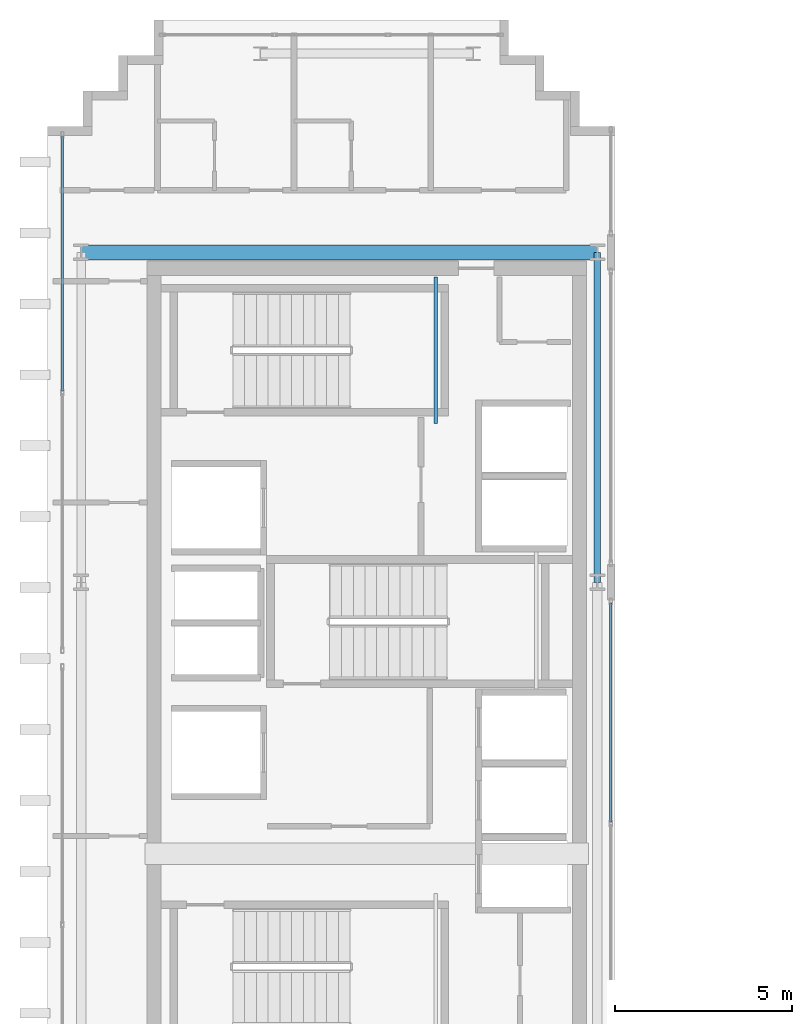
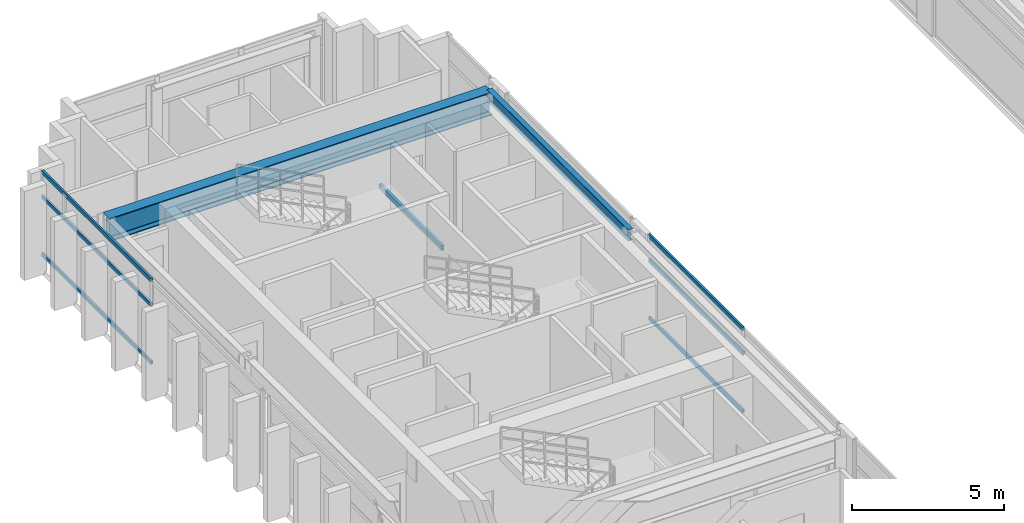
# One storey, part 6 of 25: 6 members, 3 beams, 2 elements without a shape of their own.
"""IFC4 building model written with IfcOpenShell, lengths in metres."""

from ifc_helpers import new_model, si_unit, direction, frame, origin, origin_2d, place, context, subcontext, project, spatial, hollow_rectangle, i_section, extrude, source, transform, mapped, material, layer, layer_set, material_profile, profile_set, type_object, element, aggregate, save


model = new_model("IFC4")

# Units and contexts
model_context = context("Model", 3, precision=1e-05, world=origin(), true_north=direction((0.0, 1.0)))
body_context = subcontext(model_context, "Body", "Model", "MODEL_VIEW")
ifc_project = project(units=[si_unit("LENGTHUNIT", "METRE"), si_unit("AREAUNIT", "SQUARE_METRE"), si_unit("VOLUMEUNIT", "CUBIC_METRE"), si_unit("PLANEANGLEUNIT", "RADIAN"), si_unit("MASSUNIT", "GRAM", prefix="KILO")], contexts=[model_context])

# Site, building, storey
site_placement = place(None, origin())
site = spatial("IfcSite", under=ifc_project, at=site_placement, CompositionType="ELEMENT")
building_placement = place(site_placement, origin())
building = spatial("IfcBuilding", under=site, at=building_placement, Name="Ocotamira Hotel", CompositionType="ELEMENT")
storey_placement = place(building_placement, frame((0.0, 0.0, 265.199951171875)))
storey = spatial("IfcBuildingStorey", under=building, at=storey_placement, Name="L67", CompositionType="ELEMENT", Elevation=265.199951171875)

# Beams
ifc_material_1 = material(Name="Steel ASTM A500 Grade C", Category="steel")
ifc_material_profile_1 = material_profile(ifc_material_1, hollow_rectangle(XDim=0.10009765625, YDim=0.199951171875, WallThickness=0.008056640625, at=origin_2d()), Name="HSS200X100X8")
ifc_profile_set_1 = profile_set([ifc_material_profile_1], Name="Steel ASTM A500 Grade C")
beam_type_1 = type_object("IfcBeamType", Name="BM-STLDG-HSS200", PredefinedType="BEAM", material=ifc_profile_set_1)
shared_shape_1 = source(origin(), body_context, "Body", "SweptSolid", [
    extrude(hollow_rectangle(XDim=0.10009765625, YDim=0.199951171875, WallThickness=0.008056640625, at=origin_2d()), origin(), (0.0, 0.0, 1.0), 4.1201171875),
])
beam_1_placement = place(storey_placement, frame((18.949951171875, 32.6298828125, 1.5), z_axis=(0.0, 1.0, 0.0), x_axis=(-1.0, 0.0, 0.0)))
element("IfcBeam", 1, at=beam_1_placement, inside=storey, type_object=beam_type_1, Name="L67 Stair ST-2 Landing Bearer 1", PredefinedType="BEAM", context=body_context, shape_type="MappedRepresentation", body=[
    mapped(shared_shape_1, transform((0.0, 0.0, 0.0), scale=1.0)),
])
ifc_material_2 = material(Name="Steel ASTM A992 Grade 50", Category="steel")
ifc_material_profile_2 = material_profile(ifc_material_2, i_section(OverallWidth=0.41796875, OverallDepth=0.927001953125, WebThickness=0.019287109375, FlangeThickness=0.031982421875, FilletRadius=0.02392578125, at=origin_2d()), Name="W36X231")
ifc_profile_set_2 = profile_set([ifc_material_profile_2], Name="Steel ASTM A992 Grade 50")
beam_type_2 = type_object("IfcBeamType", Name="BM-GIRD-W36X231", PredefinedType="BEAM", material=ifc_profile_set_2)
shared_shape_2 = source(origin(), body_context, "Body", "SweptSolid", [
    extrude(i_section(OverallWidth=0.41796875, OverallDepth=0.927001953125, WebThickness=0.019287109375, FlangeThickness=0.031982421875, FilletRadius=0.02392578125, at=origin_2d()), origin(), (0.0, 0.0, 1.0), 14.550048828125),
])
beam_2_placement = place(storey_placement, frame((8.949951171875, 37.449951171875, 2.91650390625), z_axis=(1.0, 0.0, 0.0), x_axis=(0.0, 1.0, 0.0)))
element("IfcBeam", 2, at=beam_2_placement, inside=storey, type_object=beam_type_2, Name="L67 Girder Y37.45 X8.95-23.5", PredefinedType="BEAM", context=body_context, shape_type="MappedRepresentation", body=[
    mapped(shared_shape_2, transform((0.0, 0.0, 0.0), scale=1.0)),
])
ifc_material_profile_3 = material_profile(ifc_material_2, i_section(OverallWidth=0.18994140625, OverallDepth=0.45703125, WebThickness=0.009033203125, FlangeThickness=0.014404296875, FilletRadius=0.010009765625, at=origin_2d()), Name="W18X50")
ifc_profile_set_3 = profile_set([ifc_material_profile_3], Name="Steel ASTM A992 Grade 50")
beam_type_3 = type_object("IfcBeamType", Name="BM-SEC-W18X50", PredefinedType="JOIST", material=ifc_profile_set_3)
shared_shape_3 = source(origin(), body_context, "Body", "SweptSolid", [
    extrude(i_section(OverallWidth=0.18994140625, OverallDepth=0.45703125, WebThickness=0.009033203125, FlangeThickness=0.014404296875, FilletRadius=0.010009765625, at=origin_2d()), origin(), (0.0, 0.0, 1.0), 9.300048828125),
])
beam_3_placement = place(storey_placement, frame((23.5, 28.14990234375, 3.151611328125), z_axis=(0.0, 1.0, 0.0), x_axis=(-1.0, 0.0, 0.0)))
element("IfcBeam", 3, at=beam_3_placement, inside=storey, type_object=beam_type_3, Name="L67 Beam X23.5 Y28.15-37.45", PredefinedType="JOIST", context=body_context, shape_type="MappedRepresentation", body=[
    mapped(shared_shape_3, transform((0.0, 0.0, 0.0), scale=1.0)),
])

# Curtain wall, members
ifc_material_3 = material(Name="Anodised pale-metal aluminium and solar glass", Category="aluminium")
ifc_layer = layer(ifc_material_3, 0.2099609375)
ifc_layer_set = layer_set([ifc_layer], Name="Anodised pale-metal aluminium and solar glass")
curtain_wall_type = type_object("IfcCurtainWallType", Name="CW-SYS7-PEAK", PredefinedType="NOTDEFINED", material=ifc_layer_set)
curtain_wall_1_placement = place(storey_placement, origin())
curtain_wall_1 = element("IfcCurtainWall", 4, at=curtain_wall_1_placement, inside=storey, type_object=curtain_wall_type, Name="L67 Curtain Wall CW-7 CW-L67-WO2", PredefinedType="NOTDEFINED")
ifc_material_4 = material(Name="Anodised pale-metal aluminium 6063-T6", Category="aluminium")
ifc_material_profile_4 = material_profile(ifc_material_4, hollow_rectangle(XDim=0.074951171875, YDim=0.14990234375, WallThickness=0.006103515625, at=origin_2d()), Name="HSS150X75X6")
ifc_profile_set_4 = profile_set([ifc_material_profile_4], Name="Anodised pale-metal aluminium 6063-T6")
member_type = type_object("IfcMemberType", Name="CWT-150X75", PredefinedType="USERDEFINED", material=ifc_profile_set_4)
shared_shape_4 = source(origin(), body_context, "Body", "SweptSolid", [
    extrude(hollow_rectangle(XDim=0.074951171875, YDim=0.14990234375, WallThickness=0.006103515625, at=origin_2d()), origin(), (0.0, 0.0, 1.0), 7.179931640625),
])
member_1_placement = place(storey_placement, frame((8.419921875, 33.5400390625, 0.03759765625), z_axis=(0.0, 1.0, 0.0), x_axis=(-1.0, 0.0, 0.0)))
member_1 = element("IfcMember", 5, at=member_1_placement, type_object=member_type, Name="CW-7 transom 2.1", ObjectType="TRANSOM", PredefinedType="USERDEFINED", context=body_context, shape_type="MappedRepresentation", body=[
    mapped(shared_shape_4, transform((0.0, 0.0, 0.0), scale=1.0)),
])
member_2_placement = place(storey_placement, frame((8.419921875, 33.5400390625, 2.35009765625), z_axis=(0.0, 1.0, 0.0), x_axis=(-1.0, 0.0, 0.0)))
member_2 = element("IfcMember", 6, at=member_2_placement, type_object=member_type, Name="CW-7 transom 2.2", ObjectType="TRANSOM", PredefinedType="USERDEFINED", context=body_context, shape_type="MappedRepresentation", body=[
    mapped(shared_shape_4, transform((0.0, 0.0, 0.0), scale=1.0)),
])
member_3_placement = place(storey_placement, frame((8.419921875, 33.5400390625, 3.342529296875), z_axis=(0.0, 1.0, 0.0), x_axis=(-1.0, 0.0, 0.0)))
member_3 = element("IfcMember", 7, at=member_3_placement, type_object=member_type, Name="CW-7 transom 2.3", ObjectType="TRANSOM", PredefinedType="USERDEFINED", context=body_context, shape_type="MappedRepresentation", body=[
    mapped(shared_shape_4, transform((0.0, 0.0, 0.0), scale=1.0)),
])
aggregate(curtain_wall_1, [member_1, member_2, member_3])

curtain_wall_2_placement = place(storey_placement, origin())
curtain_wall_2 = element("IfcCurtainWall", 8, at=curtain_wall_2_placement, inside=storey, type_object=curtain_wall_type, Name="L67 Curtain Wall CW-7 CW-L67-WI2", PredefinedType="NOTDEFINED")
shared_shape_5 = source(origin(), body_context, "Body", "SweptSolid", [
    extrude(hollow_rectangle(XDim=0.074951171875, YDim=0.14990234375, WallThickness=0.006103515625, at=origin_2d()), origin(), (0.0, 0.0, 1.0), 6.18017578125),
])
member_4_placement = place(storey_placement, frame((23.8798828125, 21.389892578125, 0.03759765625), z_axis=(0.0, 1.0, 0.0), x_axis=(-1.0, 0.0, 0.0)))
member_4 = element("IfcMember", 9, at=member_4_placement, type_object=member_type, Name="CW-7 transom 2.1", ObjectType="TRANSOM", PredefinedType="USERDEFINED", context=body_context, shape_type="MappedRepresentation", body=[
    mapped(shared_shape_5, transform((0.0, 0.0, 0.0), scale=1.0)),
])
member_5_placement = place(storey_placement, frame((23.8798828125, 21.389892578125, 2.35009765625), z_axis=(0.0, 1.0, 0.0), x_axis=(-1.0, 0.0, 0.0)))
member_5 = element("IfcMember", 10, at=member_5_placement, type_object=member_type, Name="CW-7 transom 2.2", ObjectType="TRANSOM", PredefinedType="USERDEFINED", context=body_context, shape_type="MappedRepresentation", body=[
    mapped(shared_shape_5, transform((0.0, 0.0, 0.0), scale=1.0)),
])
member_6_placement = place(storey_placement, frame((23.8798828125, 21.389892578125, 3.342529296875), z_axis=(0.0, 1.0, 0.0), x_axis=(-1.0, 0.0, 0.0)))
member_6 = element("IfcMember", 11, at=member_6_placement, type_object=member_type, Name="CW-7 transom 2.3", ObjectType="TRANSOM", PredefinedType="USERDEFINED", context=body_context, shape_type="MappedRepresentation", body=[
    mapped(shared_shape_5, transform((0.0, 0.0, 0.0), scale=1.0)),
])
aggregate(curtain_wall_2, [member_4, member_5, member_6])

save(model, "model.ifc")
